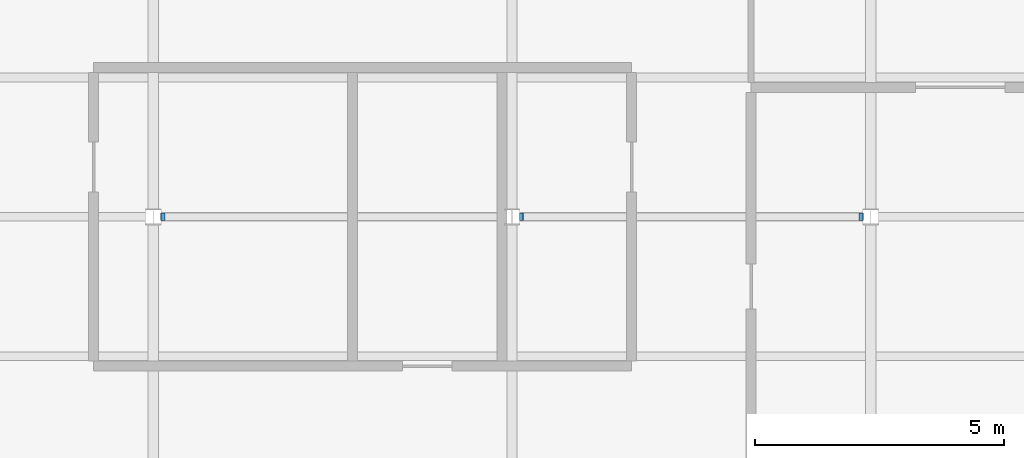
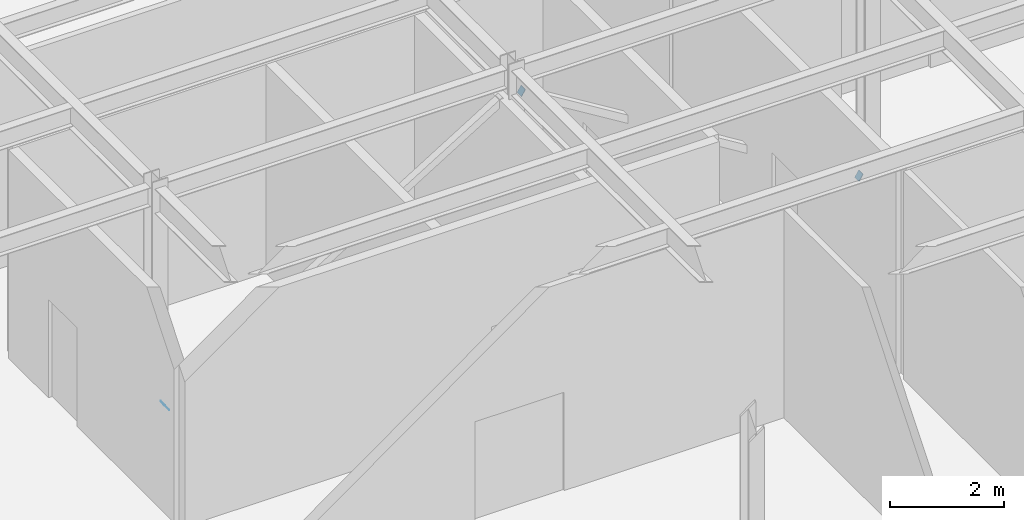
# One storey, part 60 of 93: 3 discrete accessories.
"""IFC4 building model written with IfcOpenShell, lengths in metres."""

from ifc_helpers import new_model, si_unit, direction, frame, origin, origin_2d, place, context, subcontext, project, spatial, rectangle, extrude, material, material_profile, profile_set, type_object, element, save


model = new_model("IFC4")

# Units and contexts
model_context = context("Model", 3, precision=1e-05, world=origin(), true_north=direction((0.0, 1.0)))
body_context = subcontext(model_context, "Body", "Model", "MODEL_VIEW")
ifc_project = project(units=[si_unit("LENGTHUNIT", "METRE"), si_unit("AREAUNIT", "SQUARE_METRE"), si_unit("VOLUMEUNIT", "CUBIC_METRE"), si_unit("PLANEANGLEUNIT", "RADIAN"), si_unit("MASSUNIT", "GRAM", prefix="KILO")], contexts=[model_context])

# Site, building, storey
site_placement = place(None, origin())
site = spatial("IfcSite", under=ifc_project, at=site_placement, CompositionType="ELEMENT")
building_placement = place(site_placement, origin())
building = spatial("IfcBuilding", under=site, at=building_placement, Name="Verrick Yard Athletic Hall", CompositionType="ELEMENT")
storey_placement = place(building_placement, frame((0.0, 0.0, 8.800048828125)))
storey = spatial("IfcBuildingStorey", under=building, at=storey_placement, Name="L02", CompositionType="ELEMENT", Elevation=8.800048828125)

# Discrete accessories
ifc_material = material(Name="Structural steel 350W (CSA G40.21)", Category="steel")
ifc_material_profile = material_profile(ifc_material, rectangle(XDim=0.15234375, YDim=0.15234375, at=origin_2d()), Name="STR End cap plate 152x152x9.5")
ifc_profile_set = profile_set([ifc_material_profile], Name="Structural steel 350W (CSA G40.21)")
discrete_accessory_type = type_object("IfcDiscreteAccessoryType", Name="STR End cap plate 152x152x9.5", PredefinedType="BRACKET", material=ifc_profile_set)
for number, where, z_axis, x_axis, name in (
    (1, (25.78515625, 36.0, 4.424072265625), (0.857492925713, 0.0, -0.514495755428), (0.0, 1.0, 0.0), "End cap STR-BR-W2-L02 A"),
    (2, (32.6064453125, 36.0, 0.22412109375), (0.846636549211, 0.0, -0.532171545218), (0.0, 1.0, 0.0), "End cap STR-BR-W2-L02 B"),
):
    element("IfcDiscreteAccessory", number, at=place(storey_placement, frame(where, z_axis=z_axis, x_axis=x_axis)), inside=storey, type_object=discrete_accessory_type, Name=name, PredefinedType="BRACKET", context=body_context, shape_type="SweptSolid", body=[
        extrude(rectangle(XDim=0.15234375, YDim=0.15234375, at=origin_2d()), origin(), (0.0, 0.0, 1.0), 0.010009765625),
    ])
discrete_accessory_placement = place(storey_placement, frame((18.585205078125, 36.0, 0.21875), z_axis=(0.839570157152, 0.0, 0.543251278157), x_axis=(0.0, 1.0, 0.0)))
element("IfcDiscreteAccessory", 3, at=discrete_accessory_placement, inside=storey, type_object=discrete_accessory_type, Name="End cap STR-BR-W1-L02 A", PredefinedType="BRACKET", context=body_context, shape_type="SweptSolid", body=[
    extrude(rectangle(XDim=0.15234375, YDim=0.15234375, at=origin_2d()), origin(), (0.0, 0.0, 1.0), 0.009765625),
])

save(model, "model.ifc")
